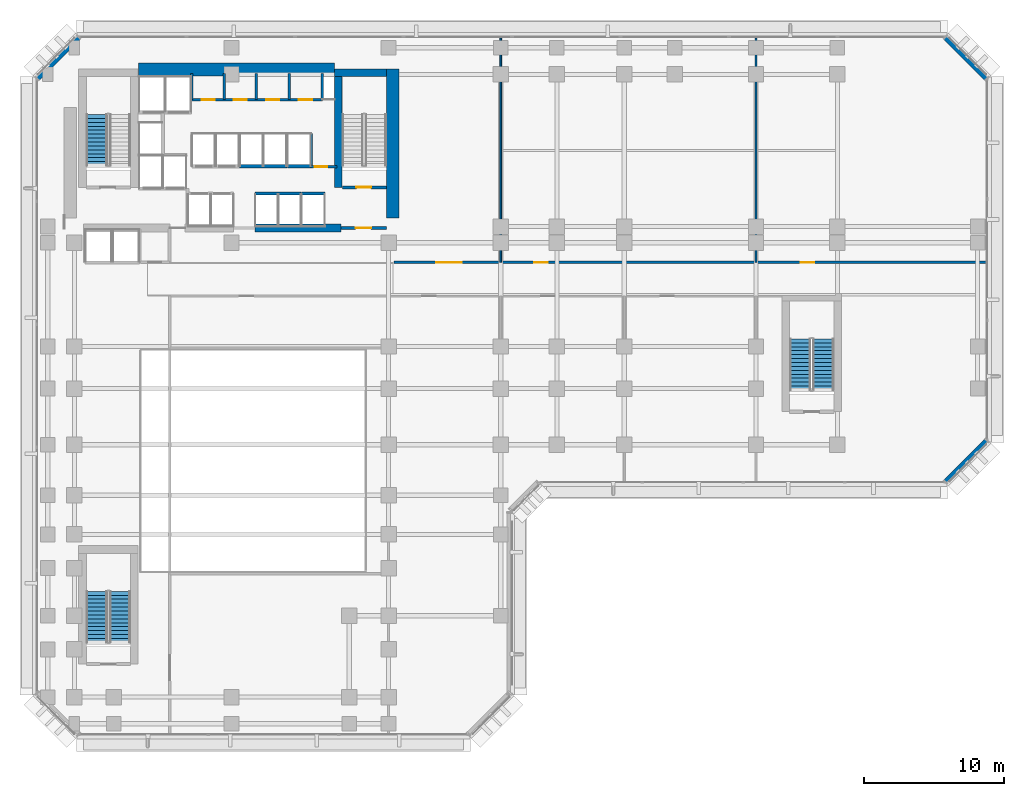
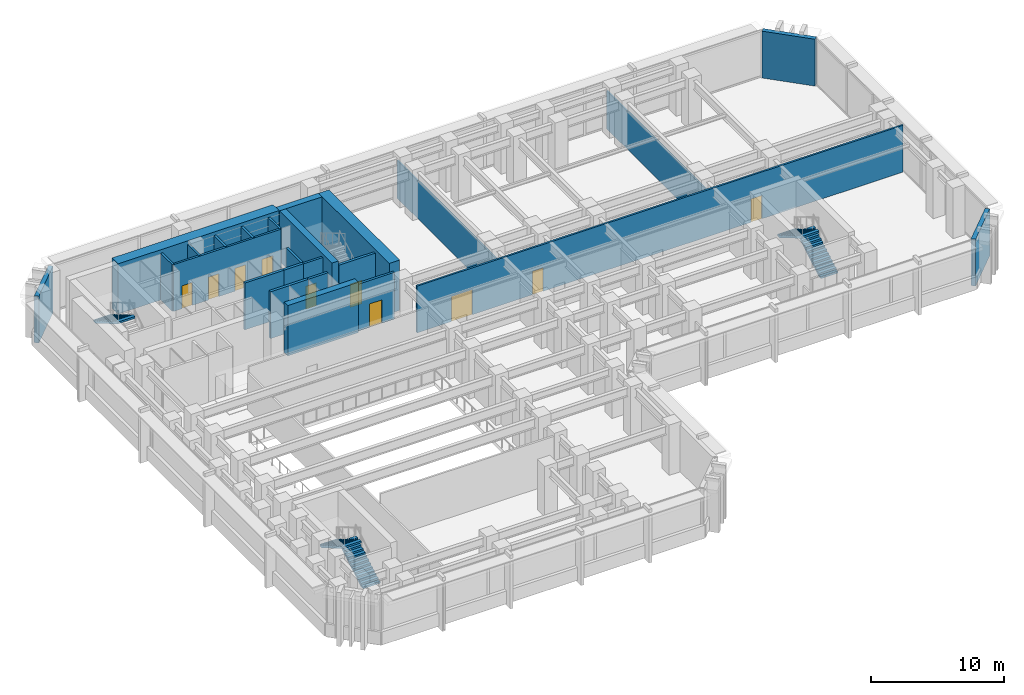
# One storey, part 8 of 16: 25 walls, 10 doors, 5 stair flights, 10 openings, 3 elements without a shape of their own.
"""IFC4 building model written with IfcOpenShell, lengths in metres."""

from ifc_helpers import new_model, si_unit, direction, frame, frame_2d, origin, place, context, subcontext, project, spatial, polyline, rectangle, outline, extrude, material, layer, layer_set, type_object, element, fill, aggregate, save


model = new_model("IFC4")

# Units and contexts
model_context = context("Model", 3, precision=1e-05, world=origin(), true_north=direction((0.0, 1.0)))
body_context = subcontext(model_context, "Body", "Model", "MODEL_VIEW")
ifc_project = project(units=[si_unit("LENGTHUNIT", "METRE"), si_unit("AREAUNIT", "SQUARE_METRE"), si_unit("VOLUMEUNIT", "CUBIC_METRE"), si_unit("PLANEANGLEUNIT", "RADIAN"), si_unit("MASSUNIT", "GRAM", prefix="KILO")], contexts=[model_context])

# Site, building, storey
site_placement = place(None, origin())
site = spatial("IfcSite", under=ifc_project, at=site_placement, CompositionType="ELEMENT")
building_placement = place(site_placement, origin())
building = spatial("IfcBuilding", under=site, at=building_placement, Name="Kefirva Bronze Tower", CompositionType="ELEMENT")
storey_placement = place(building_placement, frame((0.0, 0.0, 16.5)))
storey = spatial("IfcBuildingStorey", under=building, at=storey_placement, Name="L03", CompositionType="ELEMENT", Elevation=16.5)

# Walls
ifc_material_1 = material(Name="Gypsum acoustic partition")
ifc_layer_1 = layer(ifc_material_1, 0.1298828125, Name="Gypsum acoustic partition")
ifc_layer_set_1 = layer_set([ifc_layer_1], Name="Gypsum acoustic partition")
wall_type_1 = type_object("IfcWallType", Name="Acoustic Office Partition 130mm", PredefinedType="PARTITIONING", material=ifc_layer_set_1)
for number, where, z_axis, x_axis, name in (
    (1, (31.199951171875, 31.800048828125, 0.0), (0.0, 0.0, 1.0), (0.0, 1.0, 0.0), "L03 Partition W-L03-NDV1"),
    (2, (49.39990234375, 31.800048828125, 0.0), (0.0, 0.0, 1.0), (0.0, 1.0, 0.0), "L03 Partition W-L03-NDV2"),
):
    element("IfcWall", number, at=place(storey_placement, frame(where, z_axis=z_axis, x_axis=x_axis)), inside=storey, type_object=wall_type_1, Name=name, PredefinedType="PARTITIONING", context=body_context, shape_type="SweptSolid", body=[
        extrude(rectangle(XDim=16.010009765625, YDim=0.1298828125, at=frame_2d((8.0048828125, 0.0))), origin(), (0.0, 0.0, 1.0), 3.485107421875),
    ])

# Wall, opening, door
ifc_material_2 = material(Name="Gypsum fireboard shaftwall")
ifc_layer_2 = layer(ifc_material_2, 0.219970703125, Name="Gypsum fireboard shaftwall")
ifc_layer_set_2 = layer_set([ifc_layer_2], Name="Gypsum fireboard shaftwall")
wall_type_2 = type_object("IfcWallType", Name="Fire-Rated Shaft Enclosure Wall 220mm", PredefinedType="PARTITIONING", material=ifc_layer_set_2)
wall_1_placement = place(storey_placement, frame((19.89990234375, 37.14990234375, 0.0), z_axis=(0.0, 0.0, 1.0), x_axis=(1.0, 0.0, 0.0)))
wall_1 = element("IfcWall", 3, at=wall_1_placement, inside=storey, type_object=wall_type_2, Name="L03 Partition W-L03-ST2S", PredefinedType="PARTITIONING", context=body_context, shape_type="SweptSolid", body=[
    extrude(rectangle(XDim=3.150146484375, YDim=0.219970703125, at=frame_2d((1.5751953125, 0.0))), origin(), (0.0, 0.0, 1.0), 4.300048828125),
])
opening_1_placement = place(wall_1_placement, frame((2.050048828125, 0.0, 0.0), z_axis=(0.0, 0.0, 1.0), x_axis=(-1.0, 0.0, 0.0)))
opening_1 = element("IfcOpeningElement", 4, at=opening_1_placement, cuts=wall_1, Name="Opening L03-D003", PredefinedType="OPENING", context=body_context, shape_type="SweptSolid", body=[
    extrude(rectangle(XDim=1.050048828125, YDim=2.14990234375, at=frame_2d((0.52490234375, 1.074951171875))), frame((0.0, 0.1201171875, 0.0), z_axis=(0.0, -1.0, 0.0), x_axis=(1.0, 0.0, 0.0)), (0.0, 0.0, 1.0), 0.239990234375),
])
ifc_material_3 = material(Name="Painted galvanized steel", Category="steel")
door_type_1 = type_object("IfcDoorType", Name="Fire Stair Enclosure Door 1050x2150 FD90S", OperationType="NOTDEFINED", PredefinedType="DOOR", material=ifc_material_3)
door_1_placement = place(opening_1_placement, origin())
door_1 = element("IfcDoor", 5, at=door_1_placement, inside=storey, type_object=door_type_1, Name="Door L03-D003", OperationType="SINGLE_SWING_LEFT", OverallHeight=2.14990234375, OverallWidth=1.050048828125, PredefinedType="DOOR", context=body_context, shape_type="SweptSolid", body=[
    extrude(rectangle(XDim=1.050048828125, YDim=2.14990234375, at=frame_2d((0.52490234375, 1.074951171875))), frame((0.0, 0.02490234375, 0.0), z_axis=(0.0, -1.0, 0.0), x_axis=(1.0, 0.0, 0.0)), (0.0, 0.0, 1.0), 0.050048828125),
])
fill(opening_1, door_1)

# Walls
wall_2_placement = place(storey_placement, frame((17.679931640625, 38.64990234375, 0.0), z_axis=(0.0, 0.0, 1.0), x_axis=(0.0, 1.0, 0.0)))
element("IfcWall", 6, at=wall_2_placement, inside=storey, type_object=wall_type_2, Name="L03 Partition W-L03-HP2E", PredefinedType="PARTITIONING", context=body_context, shape_type="SweptSolid", body=[
    extrude(rectangle(XDim=2.35009765625, YDim=0.199951171875, at=frame_2d((1.175048828125, 0.0))), origin(), (0.0, 0.0, 1.0), 4.300048828125),
])
wall_3_placement = place(storey_placement, frame((13.679931640625, 36.699951171875, 0.0), z_axis=(0.0, 0.0, 1.0), x_axis=(1.0, 0.0, 0.0)))
element("IfcWall", 7, at=wall_3_placement, inside=storey, type_object=wall_type_2, Name="L03 Partition W-L03-MPS", PredefinedType="PARTITIONING", context=body_context, shape_type="SweptSolid", body=[
    extrude(rectangle(XDim=3.280029296875, YDim=0.219970703125, at=frame_2d((1.64013671875, 0.0))), origin(), (0.0, 0.0, 1.0), 4.300048828125),
])
wall_4_placement = place(storey_placement, frame((12.580078125, 38.64990234375, 0.0), z_axis=(0.0, 0.0, 1.0), x_axis=(1.0, 0.0, 0.0)))
element("IfcWall", 8, at=wall_4_placement, inside=storey, type_object=wall_type_2, Name="L03 Partition W-L03-MPN", PredefinedType="PARTITIONING", context=body_context, shape_type="SweptSolid", body=[
    extrude(rectangle(XDim=3.3798828125, YDim=0.219970703125, at=frame_2d((1.68994140625, 0.0))), origin(), (0.0, 0.0, 1.0), 4.300048828125),
])
wall_5_placement = place(storey_placement, frame((16.97998046875, 36.699951171875, 0.0), z_axis=(0.0, 0.0, 1.0), x_axis=(1.0, 0.0, 0.0)))
element("IfcWall", 9, at=wall_5_placement, inside=storey, type_object=wall_type_2, Name="L03 Partition W-L03-HPS", PredefinedType="PARTITIONING", context=body_context, shape_type="SweptSolid", body=[
    extrude(rectangle(XDim=1.699951171875, YDim=0.219970703125, at=frame_2d((0.85009765625, 0.0))), origin(), (0.0, 0.0, 1.0), 4.300048828125),
])
wall_6_placement = place(storey_placement, frame((15.97998046875, 38.64990234375, 0.0), z_axis=(0.0, 0.0, 1.0), x_axis=(1.0, 0.0, 0.0)))
element("IfcWall", 10, at=wall_6_placement, inside=storey, type_object=wall_type_2, Name="L03 Partition W-L03-HPN", PredefinedType="PARTITIONING", context=body_context, shape_type="SweptSolid", body=[
    extrude(rectangle(XDim=1.719970703125, YDim=0.219970703125, at=frame_2d((0.85986328125, 0.0))), origin(), (0.0, 0.0, 1.0), 4.300048828125),
])

# Wall, opening, door
ifc_material_4 = material(Name="Gypsum fireboard barrier")
ifc_layer_3 = layer(ifc_material_4, 0.199951171875, Name="Gypsum fireboard barrier")
ifc_layer_set_3 = layer_set([ifc_layer_3], Name="Gypsum fireboard barrier")
wall_type_3 = type_object("IfcWallType", Name="Firefighting Lobby Barrier Wall 200mm", PredefinedType="PARTITIONING", material=ifc_layer_set_3)
wall_7_placement = place(storey_placement, frame((19.800048828125, 34.25, 0.0), z_axis=(0.0, 0.0, 1.0), x_axis=(1.0, 0.0, 0.0)))
wall_7 = element("IfcWall", 11, at=wall_7_placement, inside=storey, type_object=wall_type_3, Name="L03 Partition W-L03-ST2F", PredefinedType="PARTITIONING", context=body_context, shape_type="SweptSolid", body=[
    extrude(rectangle(XDim=3.25, YDim=0.199951171875, at=frame_2d((1.625, 0.0))), origin(), (0.0, 0.0, 1.0), 4.300048828125),
])
opening_2_placement = place(wall_7_placement, frame((2.150146484375, 0.0, 0.0), z_axis=(0.0, 0.0, 1.0), x_axis=(-1.0, 0.0, 0.0)))
opening_2 = element("IfcOpeningElement", 12, at=opening_2_placement, cuts=wall_7, Name="Opening L03-D004", PredefinedType="OPENING", context=body_context, shape_type="SweptSolid", body=[
    extrude(rectangle(XDim=1.10009765625, YDim=2.14990234375, at=frame_2d((0.550048828125, 1.074951171875))), frame((0.0, 0.10986328125, 0.0), z_axis=(0.0, -1.0, 0.0), x_axis=(1.0, 0.0, 0.0)), (0.0, 0.0, 1.0), 0.219970703125),
])
door_type_2 = type_object("IfcDoorType", Name="Firefighting Lobby Smoke Door 1100x2150 FD60S", OperationType="NOTDEFINED", PredefinedType="DOOR", material=ifc_material_3)
door_2_placement = place(opening_2_placement, origin())
door_2 = element("IfcDoor", 13, at=door_2_placement, inside=storey, type_object=door_type_2, Name="Door L03-D004", OperationType="SINGLE_SWING_RIGHT", OverallHeight=2.14990234375, OverallWidth=1.10009765625, PredefinedType="DOOR", context=body_context, shape_type="SweptSolid", body=[
    extrude(rectangle(XDim=1.10009765625, YDim=2.14990234375, at=frame_2d((0.550048828125, 1.074951171875))), frame((0.0, 0.02490234375, 0.0), z_axis=(0.0, -1.0, 0.0), x_axis=(1.0, 0.0, 0.0)), (0.0, 0.0, 1.0), 0.050048828125),
])
fill(opening_2, door_2)

wall_8_placement = place(storey_placement, frame((17.679931640625, 38.6201171875, 0.0), z_axis=(0.0, 0.0, 1.0), x_axis=(1.0, 0.0, 0.0)))
wall_8 = element("IfcWall", 14, at=wall_8_placement, inside=storey, type_object=wall_type_3, Name="L03 Partition W-L03-CPASS", PredefinedType="PARTITIONING", context=body_context, shape_type="SweptSolid", body=[
    extrude(rectangle(XDim=1.840087890625, YDim=0.179931640625, at=frame_2d((0.919921875, 0.0))), origin(), (0.0, 0.0, 1.0), 4.300048828125),
])
opening_3_placement = place(wall_8_placement, frame((0.239990234375, 0.0, 0.0)))
opening_3 = element("IfcOpeningElement", 15, at=opening_3_placement, cuts=wall_8, Name="Opening L03-D-CPAS", PredefinedType="OPENING", context=body_context, shape_type="SweptSolid", body=[
    extrude(rectangle(XDim=0.919921875, YDim=2.10009765625, at=frame_2d((0.4599609375, 1.050048828125))), frame((0.0, 0.10009765625, 0.0), z_axis=(0.0, -1.0, 0.0), x_axis=(1.0, 0.0, 0.0)), (0.0, 0.0, 1.0), 0.199951171875),
])
ifc_material_5 = material(Name="Moisture-resistant timber", Category="wood")
door_type_3 = type_object("IfcDoorType", Name="Accessible Sanitary & WC Door 920x2100", OperationType="NOTDEFINED", PredefinedType="DOOR", material=ifc_material_5)
door_3_placement = place(opening_3_placement, origin())
door_3 = element("IfcDoor", 16, at=door_3_placement, inside=storey, type_object=door_type_3, Name="Door L03-D-CPAS", OperationType="SINGLE_SWING_LEFT", OverallHeight=2.10009765625, OverallWidth=0.919921875, PredefinedType="DOOR", context=body_context, shape_type="SweptSolid", body=[
    extrude(rectangle(XDim=0.919921875, YDim=2.10009765625, at=frame_2d((0.4599609375, 1.050048828125))), frame((0.0, 0.02490234375, 0.0), z_axis=(0.0, -1.0, 0.0), x_axis=(1.0, 0.0, 0.0)), (0.0, 0.0, 1.0), 0.050048828125),
])
fill(opening_3, door_3)

# Walls
ifc_material_6 = material(Name="Precast concrete C40/50", Category="concrete")
ifc_layer_4 = layer(ifc_material_6, 0.360107421875, Name="Precast concrete C40/50")
ifc_layer_set_4 = layer_set([ifc_layer_4], Name="Precast concrete C40/50")
wall_type_4 = type_object("IfcWallType", Name="Precast Podium Facade Wall 360mm", PredefinedType="SOLIDWALL", material=ifc_layer_set_4)
for number, where, z_axis, x_axis, name in (
    (17, (62.91162109375, 16.166259765625, 0.0), (0.0, 0.0, 1.0), (0.707106781187, 0.707106781187, 0.0), "L03 Exterior Facade Wall 4"),
    (18, (65.833740234375, 44.91162109375, 0.0), (0.0, 0.0, 1.0), (-0.707106781187, 0.707106781187, 0.0), "L03 Exterior Facade Wall 5"),
    (19, (1.08837890625, 47.833740234375, 0.0), (0.0, 0.0, 1.0), (-0.707106781187, -0.707106781187, 0.0), "L03 Exterior Facade Wall 6"),
):
    element("IfcWall", number, at=place(storey_placement, frame(where, z_axis=z_axis, x_axis=x_axis)), inside=storey, type_object=wall_type_4, Name=name, PredefinedType="SOLIDWALL", context=body_context, shape_type="SweptSolid", body=[
        extrude(rectangle(XDim=4.132568359375, YDim=0.360107421875, at=frame_2d((2.06640625, 0.0))), origin(), (0.0, 0.0, 1.0), 4.300048828125),
    ])

# Wall, openings, doors
ifc_layer_5 = layer(ifc_material_1, 0.159912109375, Name="Gypsum acoustic partition")
ifc_layer_set_5 = layer_set([ifc_layer_5], Name="Gypsum acoustic partition")
wall_type_5 = type_object("IfcWallType", Name="Protected Corridor Partition 160mm", PredefinedType="PARTITIONING", material=ifc_layer_set_5)
wall_9_placement = place(storey_placement, frame((23.60009765625, 31.800048828125, 0.0), z_axis=(0.0, 0.0, 1.0), x_axis=(1.0, 0.0, 0.0)))
wall_9 = element("IfcWall", 20, at=wall_9_placement, inside=storey, type_object=wall_type_5, Name="L03 Partition W-L03-N", PredefinedType="PARTITIONING", context=body_context, shape_type="SweptSolid", body=[
    extrude(rectangle(XDim=42.2099609375, YDim=0.159912109375, at=frame_2d((21.10498046875, 0.0))), origin(), (0.0, 0.0, 1.0), 4.300048828125),
])
opening_4_placement = place(wall_9_placement, frame((3.0, 0.0, 0.0)))
opening_4 = element("IfcOpeningElement", 21, at=opening_4_placement, cuts=wall_9, Name="Opening L03-D-BD", PredefinedType="OPENING", context=body_context, shape_type="SweptSolid", body=[
    extrude(rectangle(XDim=1.800048828125, YDim=2.300048828125, at=frame_2d((0.89990234375, 1.14990234375))), frame((0.0, 0.08984375, 0.0), z_axis=(0.0, -1.0, 0.0), x_axis=(1.0, 0.0, 0.0)), (0.0, 0.0, 1.0), 0.179931640625),
])
opening_5_placement = place(wall_9_placement, frame((10.0, 0.0, 0.0)))
opening_5 = element("IfcOpeningElement", 22, at=opening_5_placement, cuts=wall_9, Name="Opening L03-D-AC1", PredefinedType="OPENING", context=body_context, shape_type="SweptSolid", body=[
    extrude(rectangle(XDim=0.949951171875, YDim=2.14990234375, at=frame_2d((0.47509765625, 1.074951171875))), frame((0.0, 0.08984375, 0.0), z_axis=(0.0, -1.0, 0.0), x_axis=(1.0, 0.0, 0.0)), (0.0, 0.0, 1.0), 0.179931640625),
])
opening_6_placement = place(wall_9_placement, frame((29.0, 0.0, 0.0)))
opening_6 = element("IfcOpeningElement", 23, at=opening_6_placement, cuts=wall_9, Name="Opening L03-D-AC2", PredefinedType="OPENING", context=body_context, shape_type="SweptSolid", body=[
    extrude(rectangle(XDim=0.949951171875, YDim=2.14990234375, at=frame_2d((0.47509765625, 1.074951171875))), frame((0.0, 0.08984375, 0.0), z_axis=(0.0, -1.0, 0.0), x_axis=(1.0, 0.0, 0.0)), (0.0, 0.0, 1.0), 0.179931640625),
])
ifc_material_7 = material(Name="Acoustic hardwood oak", Category="wood")
door_type_4 = type_object("IfcDoorType", Name="Auditorium & Dining Double Door 1800x2300", OperationType="DOUBLE_DOOR_SINGLE_SWING", PredefinedType="DOOR", material=ifc_material_7)
door_4_placement = place(opening_4_placement, origin())
door_4 = element("IfcDoor", 24, at=door_4_placement, inside=storey, type_object=door_type_4, Name="Door L03-D-BD", OperationType="SINGLE_SWING_RIGHT", OverallHeight=2.300048828125, OverallWidth=1.800048828125, PredefinedType="DOOR", context=body_context, shape_type="SweptSolid", body=[
    extrude(rectangle(XDim=1.800048828125, YDim=2.300048828125, at=frame_2d((0.89990234375, 1.14990234375))), frame((0.0, 0.02490234375, 0.0), z_axis=(0.0, -1.0, 0.0), x_axis=(1.0, 0.0, 0.0)), (0.0, 0.0, 1.0), 0.050048828125),
])
fill(opening_4, door_4)
door_type_5 = type_object("IfcDoorType", Name="Office & Meeting Room Door 950x2150", OperationType="NOTDEFINED", PredefinedType="DOOR", material=ifc_material_7)
door_5_placement = place(opening_5_placement, origin())
door_5 = element("IfcDoor", 25, at=door_5_placement, inside=storey, type_object=door_type_5, Name="Door L03-D-AC1", OperationType="SINGLE_SWING_LEFT", OverallHeight=2.14990234375, OverallWidth=0.949951171875, PredefinedType="DOOR", context=body_context, shape_type="SweptSolid", body=[
    extrude(rectangle(XDim=0.949951171875, YDim=2.14990234375, at=frame_2d((0.47509765625, 1.074951171875))), frame((0.0, 0.02490234375, 0.0), z_axis=(0.0, -1.0, 0.0), x_axis=(1.0, 0.0, 0.0)), (0.0, 0.0, 1.0), 0.050048828125),
])
fill(opening_5, door_5)
door_6_placement = place(opening_6_placement, origin())
door_6 = element("IfcDoor", 26, at=door_6_placement, inside=storey, type_object=door_type_5, Name="Door L03-D-AC2", OperationType="SINGLE_SWING_RIGHT", OverallHeight=2.14990234375, OverallWidth=0.949951171875, PredefinedType="DOOR", context=body_context, shape_type="SweptSolid", body=[
    extrude(rectangle(XDim=0.949951171875, YDim=2.14990234375, at=frame_2d((0.47509765625, 1.074951171875))), frame((0.0, 0.02490234375, 0.0), z_axis=(0.0, -1.0, 0.0), x_axis=(1.0, 0.0, 0.0)), (0.0, 0.0, 1.0), 0.050048828125),
])
fill(opening_6, door_6)

# Walls
ifc_material_8 = material(Name="Concrete C50/60", Category="concrete")
ifc_layer_6 = layer(ifc_material_8, 0.550048828125, Name="Concrete C50/60")
ifc_layer_set_6 = layer_set([ifc_layer_6], Name="Concrete C50/60")
wall_type_6 = type_object("IfcWallType", Name="RC Rear Core Interior Wall 550mm", PredefinedType="SHEAR", material=ifc_layer_set_6)
wall_10_placement = place(storey_placement, frame((19.6201171875, 37.14990234375, 0.0), z_axis=(0.0, 0.0, 1.0), x_axis=(0.0, 1.0, 0.0)))
element("IfcWall", 27, at=wall_10_placement, inside=storey, type_object=wall_type_6, Name="L03 Stair 2 West Shear Wall", PredefinedType="SHEAR", context=body_context, shape_type="SweptSolid", body=[
    extrude(rectangle(XDim=7.89013671875, YDim=0.550048828125, at=frame_2d((3.945068359375, 0.0))), origin(), (0.0, 0.0, 1.0), 4.6201171875),
])
wall_11_placement = place(storey_placement, frame((19.35009765625, 45.320068359375, 0.0), z_axis=(0.0, 0.0, 1.0), x_axis=(1.0, 0.0, 0.0)))
element("IfcWall", 28, at=wall_11_placement, inside=storey, type_object=wall_type_6, Name="L03 Stair 2 North Shear Wall", PredefinedType="SHEAR", context=body_context, shape_type="SweptSolid", body=[
    extrude(rectangle(XDim=3.68994140625, YDim=0.550048828125, at=frame_2d((1.844970703125, 0.0))), origin(), (0.0, 0.0, 1.0), 4.6201171875),
])
ifc_material_9 = material(Name="Concrete C60/75", Category="concrete")
ifc_layer_7 = layer(ifc_material_9, 0.89990234375, Name="Concrete C60/75")
ifc_layer_set_7 = layer_set([ifc_layer_7], Name="Concrete C60/75")
wall_type_7 = type_object("IfcWallType", Name="RC Rear Core Interior Wall 900mm", PredefinedType="SHEAR", material=ifc_layer_set_7)
wall_12_placement = place(storey_placement, frame((5.360107421875, 45.550048828125, 0.0), z_axis=(0.0, 0.0, 1.0), x_axis=(1.0, 0.0, 0.0)))
element("IfcWall", 29, at=wall_12_placement, inside=storey, type_object=wall_type_7, Name="L03 Rear Core North Shear Wall", PredefinedType="SHEAR", context=body_context, shape_type="SweptSolid", body=[
    extrude(rectangle(XDim=13.97998046875, YDim=0.89990234375, at=frame_2d((6.989990234375, 0.0))), origin(), (0.0, 0.0, 1.0), 4.6201171875),
])
wall_13_placement = place(storey_placement, frame((23.5, 34.949951171875, 0.0), z_axis=(0.0, 0.0, 1.0), x_axis=(0.0, 1.0, 0.0)))
element("IfcWall", 30, at=wall_13_placement, inside=storey, type_object=wall_type_7, Name="L03 Rear Core East Shear Wall", PredefinedType="SHEAR", context=body_context, shape_type="SweptSolid", body=[
    extrude(rectangle(XDim=10.64013671875, YDim=0.89990234375, at=frame_2d((5.320068359375, 0.0))), origin(), (0.0, 0.0, 1.0), 4.6201171875),
])
wall_14_placement = place(storey_placement, frame((13.679931640625, 34.25, 0.0), z_axis=(0.0, 0.0, 1.0), x_axis=(1.0, 0.0, 0.0)))
element("IfcWall", 31, at=wall_14_placement, inside=storey, type_object=wall_type_7, Name="L03 Rear Core South-East Shear Wall", PredefinedType="SHEAR", context=body_context, shape_type="SweptSolid", body=[
    extrude(rectangle(XDim=6.1201171875, YDim=0.550048828125, at=frame_2d((3.06005859375, 0.0))), origin(), (0.0, 0.0, 1.0), 4.6201171875),
])

# Wall, openings, doors
ifc_material_10 = material(Name="Moisture-resistant partition")
ifc_layer_8 = layer(ifc_material_10, 0.179931640625, Name="Moisture-resistant partition")
ifc_layer_set_8 = layer_set([ifc_layer_8], Name="Moisture-resistant partition")
wall_type_8 = type_object("IfcWallType", Name="Sanitary Plumbing Chase Wall 180mm", PredefinedType="PLUMBINGWALL", material=ifc_layer_set_8)
wall_15_placement = place(storey_placement, frame((9.14990234375, 43.39990234375, 0.0), z_axis=(0.0, 0.0, 1.0), x_axis=(1.0, 0.0, 0.0)))
wall_15 = element("IfcWall", 32, at=wall_15_placement, inside=storey, type_object=wall_type_8, Name="L03 Partition W-L03-SVCS", PredefinedType="PLUMBINGWALL", context=body_context, shape_type="SweptSolid", body=[
    extrude(rectangle(XDim=9.330078125, YDim=0.179931640625, at=frame_2d((4.6650390625, 0.0))), origin(), (0.0, 0.0, 1.0), 4.300048828125),
])
opening_7_placement = place(wall_15_placement, frame((0.719970703125, 0.0, 0.0)))
opening_7 = element("IfcOpeningElement", 33, at=opening_7_placement, cuts=wall_15, Name="Opening L03-D-CSVC1", PredefinedType="OPENING", context=body_context, shape_type="SweptSolid", body=[
    extrude(rectangle(XDim=0.919921875, YDim=2.10009765625, at=frame_2d((0.4599609375, 1.050048828125))), frame((0.0, 0.10009765625, 0.0), z_axis=(0.0, -1.0, 0.0), x_axis=(1.0, 0.0, 0.0)), (0.0, 0.0, 1.0), 0.199951171875),
])
opening_8_placement = place(wall_15_placement, frame((3.02001953125, 0.0, 0.0)))
opening_8 = element("IfcOpeningElement", 34, at=opening_8_placement, cuts=wall_15, Name="Opening L03-D-CSVC2", PredefinedType="OPENING", context=body_context, shape_type="SweptSolid", body=[
    extrude(rectangle(XDim=0.919921875, YDim=2.10009765625, at=frame_2d((0.4599609375, 1.050048828125))), frame((0.0, 0.10009765625, 0.0), z_axis=(0.0, -1.0, 0.0), x_axis=(1.0, 0.0, 0.0)), (0.0, 0.0, 1.0), 0.199951171875),
])
opening_9_placement = place(wall_15_placement, frame((5.340087890625, 0.0, 0.0)))
opening_9 = element("IfcOpeningElement", 35, at=opening_9_placement, cuts=wall_15, Name="Opening L03-D-CSVC3", PredefinedType="OPENING", context=body_context, shape_type="SweptSolid", body=[
    extrude(rectangle(XDim=0.919921875, YDim=2.10009765625, at=frame_2d((0.4599609375, 1.050048828125))), frame((0.0, 0.10009765625, 0.0), z_axis=(0.0, -1.0, 0.0), x_axis=(1.0, 0.0, 0.0)), (0.0, 0.0, 1.0), 0.199951171875),
])
opening_10_placement = place(wall_15_placement, frame((7.659912109375, 0.0, 0.0)))
opening_10 = element("IfcOpeningElement", 36, at=opening_10_placement, cuts=wall_15, Name="Opening L03-D-CSVC4", PredefinedType="OPENING", context=body_context, shape_type="SweptSolid", body=[
    extrude(rectangle(XDim=0.949951171875, YDim=2.10009765625, at=frame_2d((0.47509765625, 1.050048828125))), frame((0.0, 0.10009765625, 0.0), z_axis=(0.0, -1.0, 0.0), x_axis=(1.0, 0.0, 0.0)), (0.0, 0.0, 1.0), 0.199951171875),
])
door_7_placement = place(opening_7_placement, origin())
door_7 = element("IfcDoor", 37, at=door_7_placement, inside=storey, type_object=door_type_3, Name="Door L03-D-CSVC1", OperationType="SINGLE_SWING_LEFT", OverallHeight=2.10009765625, OverallWidth=0.919921875, PredefinedType="DOOR", context=body_context, shape_type="SweptSolid", body=[
    extrude(rectangle(XDim=0.919921875, YDim=2.10009765625, at=frame_2d((0.4599609375, 1.050048828125))), frame((0.0, 0.02490234375, 0.0), z_axis=(0.0, -1.0, 0.0), x_axis=(1.0, 0.0, 0.0)), (0.0, 0.0, 1.0), 0.050048828125),
])
fill(opening_7, door_7)
door_8_placement = place(opening_8_placement, origin())
door_8 = element("IfcDoor", 38, at=door_8_placement, inside=storey, type_object=door_type_3, Name="Door L03-D-CSVC2", OperationType="SINGLE_SWING_RIGHT", OverallHeight=2.10009765625, OverallWidth=0.919921875, PredefinedType="DOOR", context=body_context, shape_type="SweptSolid", body=[
    extrude(rectangle(XDim=0.919921875, YDim=2.10009765625, at=frame_2d((0.4599609375, 1.050048828125))), frame((0.0, 0.02490234375, 0.0), z_axis=(0.0, -1.0, 0.0), x_axis=(1.0, 0.0, 0.0)), (0.0, 0.0, 1.0), 0.050048828125),
])
fill(opening_8, door_8)
door_9_placement = place(opening_9_placement, origin())
door_9 = element("IfcDoor", 39, at=door_9_placement, inside=storey, type_object=door_type_3, Name="Door L03-D-CSVC3", OperationType="SINGLE_SWING_LEFT", OverallHeight=2.10009765625, OverallWidth=0.919921875, PredefinedType="DOOR", context=body_context, shape_type="SweptSolid", body=[
    extrude(rectangle(XDim=0.919921875, YDim=2.10009765625, at=frame_2d((0.4599609375, 1.050048828125))), frame((0.0, 0.02490234375, 0.0), z_axis=(0.0, -1.0, 0.0), x_axis=(1.0, 0.0, 0.0)), (0.0, 0.0, 1.0), 0.050048828125),
])
fill(opening_9, door_9)
door_type_6 = type_object("IfcDoorType", Name="Riser & Plant Shaft Fire Door 950x2100 FD60S", OperationType="NOTDEFINED", PredefinedType="DOOR", material=ifc_material_3)
door_10_placement = place(opening_10_placement, origin())
door_10 = element("IfcDoor", 40, at=door_10_placement, inside=storey, type_object=door_type_6, Name="Door L03-D-CSVC4", OperationType="SINGLE_SWING_RIGHT", OverallHeight=2.10009765625, OverallWidth=0.949951171875, PredefinedType="DOOR", context=body_context, shape_type="SweptSolid", body=[
    extrude(rectangle(XDim=0.949951171875, YDim=2.10009765625, at=frame_2d((0.47509765625, 1.050048828125))), frame((0.0, 0.02490234375, 0.0), z_axis=(0.0, -1.0, 0.0), x_axis=(1.0, 0.0, 0.0)), (0.0, 0.0, 1.0), 0.050048828125),
])
fill(opening_10, door_10)

# Walls
for number, where, z_axis, x_axis, name in (
    (41, (9.14990234375, 43.39990234375, 0.0), (0.0, 0.0, 1.0), (0.0, 1.0, 0.0), "L03 Partition W-L03-SVCW"),
    (42, (18.47998046875, 43.39990234375, 0.0), (0.0, 0.0, 1.0), (0.0, 1.0, 0.0), "L03 Partition W-L03-SVCE"),
    (43, (11.47998046875, 43.39990234375, 0.0), (0.0, 0.0, 1.0), (0.0, 1.0, 0.0), "L03 Partition W-L03-CSVD-1"),
    (44, (13.780029296875, 43.39990234375, 0.0), (0.0, 0.0, 1.0), (0.0, 1.0, 0.0), "L03 Partition W-L03-CSVD-2"),
    (45, (16.1201171875, 43.39990234375, 0.0), (0.0, 0.0, 1.0), (0.0, 1.0, 0.0), "L03 Partition W-L03-CSVD-3"),
):
    element("IfcWall", number, at=place(storey_placement, frame(where, z_axis=z_axis, x_axis=x_axis)), inside=storey, type_object=wall_type_8, Name=name, PredefinedType="PLUMBINGWALL", context=body_context, shape_type="SweptSolid", body=[
        extrude(rectangle(XDim=1.880126953125, YDim=0.179931640625, at=frame_2d((0.93994140625, 0.0))), origin(), (0.0, 0.0, 1.0), 4.300048828125),
    ])

# Stair, stair flight
ifc_material_11 = material(Name="Concrete C40/50", Category="concrete")
stair_type = type_object("IfcStairType", Name="RC Dogleg Protected Stair 28R", PredefinedType="HALF_TURN_STAIR", material=ifc_material_11)
stair_1_placement = place(storey_placement, origin())
stair_1 = element("IfcStair", 46, at=stair_1_placement, inside=storey, type_object=stair_type, Name="L03 Protected Exit Stair 1", PredefinedType="HALF_TURN_STAIR")
stair_flight_type = type_object("IfcStairFlightType", Name="RC Straight Stair Flight 28R", PredefinedType="STRAIGHT", material=ifc_material_11)
stair_flight_1_placement = place(storey_placement, frame((2.39990234375, 42.340087890625, 2.31005859375), z_axis=(0.0, 0.0, 1.0), x_axis=(0.0, -1.0, 0.0)))
stair_flight_1 = element("IfcStairFlight", 47, at=stair_flight_1_placement, type_object=stair_flight_type, Name="ST-1 flight 2", NumberOfRisers=14, NumberOfTreads=13, PredefinedType="STRAIGHT", RiserHeight=0.165, TreadLength=0.28, context=body_context, shape_type="SweptSolid", body=[
    extrude(outline(polyline([(0.0, 0.0), (0.0, 0.1650390625), (0.280029296875, 0.1650390625), (0.280029296875, 0.330078125), (0.56005859375, 0.330078125), (0.56005859375, 0.4951171875), (0.840087890625, 0.4951171875), (0.840087890625, 0.659912109375), (1.1201171875, 0.659912109375), (1.1201171875, 0.824951171875), (1.39990234375, 0.824951171875), (1.39990234375, 0.989990234375), (1.679931640625, 0.989990234375), (1.679931640625, 1.155029296875), (1.9599609375, 1.155029296875), (1.9599609375, 1.320068359375), (2.239990234375, 1.320068359375), (2.239990234375, 1.485107421875), (2.52001953125, 1.485107421875), (2.52001953125, 1.64990234375), (2.800048828125, 1.64990234375), (2.800048828125, 1.81494140625), (3.080078125, 1.81494140625), (3.080078125, 1.97998046875), (3.360107421875, 1.97998046875), (3.360107421875, 2.14501953125), (3.639892578125, 2.14501953125), (3.639892578125, 2.31005859375), (3.639892578125, 1.970947265625), (0.295166015625, 0.0), (0.0, 0.0)])), frame((0.0, 0.75, 0.0), z_axis=(0.0, -1.0, 0.0), x_axis=(1.0, 0.0, 0.0)), (0.0, 0.0, 1.0), 1.5),
])
aggregate(stair_1, [stair_flight_1])

# Stair, stair flights
stair_2_placement = place(storey_placement, origin())
stair_2 = element("IfcStair", 48, at=stair_2_placement, inside=storey, type_object=stair_type, Name="L03 Podium Exit Stair 3", PredefinedType="HALF_TURN_STAIR")
stair_flight_2_placement = place(storey_placement, frame((4.050048828125, 4.699951171875, 0.0), z_axis=(0.0, 0.0, 1.0), x_axis=(0.0, 1.0, 0.0)))
stair_flight_2 = element("IfcStairFlight", 49, at=stair_flight_2_placement, type_object=stair_flight_type, Name="ST-3 flight 1", NumberOfRisers=14, NumberOfTreads=13, PredefinedType="STRAIGHT", RiserHeight=0.165, TreadLength=0.28, context=body_context, shape_type="SweptSolid", body=[
    extrude(outline(polyline([(0.0, 0.0), (0.0, 0.1650390625), (0.280029296875, 0.1650390625), (0.280029296875, 0.330078125), (0.56005859375, 0.330078125), (0.56005859375, 0.4951171875), (0.840087890625, 0.4951171875), (0.840087890625, 0.659912109375), (1.1201171875, 0.659912109375), (1.1201171875, 0.824951171875), (1.39990234375, 0.824951171875), (1.39990234375, 0.989990234375), (1.679931640625, 0.989990234375), (1.679931640625, 1.155029296875), (1.9599609375, 1.155029296875), (1.9599609375, 1.320068359375), (2.239990234375, 1.320068359375), (2.239990234375, 1.485107421875), (2.52001953125, 1.485107421875), (2.52001953125, 1.64990234375), (2.800048828125, 1.64990234375), (2.800048828125, 1.81494140625), (3.080078125, 1.81494140625), (3.080078125, 1.97998046875), (3.360107421875, 1.97998046875), (3.360107421875, 2.14501953125), (3.639892578125, 2.14501953125), (3.639892578125, 2.31005859375), (3.639892578125, 1.970947265625), (0.295166015625, 0.0), (0.0, 0.0)])), frame((0.0, 0.75, 0.0), z_axis=(0.0, -1.0, 0.0), x_axis=(1.0, 0.0, 0.0)), (0.0, 0.0, 1.0), 1.5),
])
stair_flight_3_placement = place(storey_placement, frame((2.39990234375, 8.340087890625, 2.31005859375), z_axis=(0.0, 0.0, 1.0), x_axis=(0.0, -1.0, 0.0)))
stair_flight_3 = element("IfcStairFlight", 50, at=stair_flight_3_placement, type_object=stair_flight_type, Name="ST-3 flight 2", NumberOfRisers=14, NumberOfTreads=13, PredefinedType="STRAIGHT", RiserHeight=0.165, TreadLength=0.28, context=body_context, shape_type="SweptSolid", body=[
    extrude(outline(polyline([(0.0, 0.0), (0.0, 0.1650390625), (0.280029296875, 0.1650390625), (0.280029296875, 0.330078125), (0.56005859375, 0.330078125), (0.56005859375, 0.4951171875), (0.840087890625, 0.4951171875), (0.840087890625, 0.659912109375), (1.1201171875, 0.659912109375), (1.1201171875, 0.824951171875), (1.39990234375, 0.824951171875), (1.39990234375, 0.989990234375), (1.679931640625, 0.989990234375), (1.679931640625, 1.155029296875), (1.9599609375, 1.155029296875), (1.9599609375, 1.320068359375), (2.239990234375, 1.320068359375), (2.239990234375, 1.485107421875), (2.52001953125, 1.485107421875), (2.52001953125, 1.64990234375), (2.800048828125, 1.64990234375), (2.800048828125, 1.81494140625), (3.080078125, 1.81494140625), (3.080078125, 1.97998046875), (3.360107421875, 1.97998046875), (3.360107421875, 2.14501953125), (3.639892578125, 2.14501953125), (3.639892578125, 2.31005859375), (3.639892578125, 1.970947265625), (0.295166015625, 0.0), (0.0, 0.0)])), frame((0.0, 0.75, 0.0), z_axis=(0.0, -1.0, 0.0), x_axis=(1.0, 0.0, 0.0)), (0.0, 0.0, 1.0), 1.5),
])
aggregate(stair_2, [stair_flight_2, stair_flight_3])

stair_3_placement = place(storey_placement, origin())
stair_3 = element("IfcStair", 51, at=stair_3_placement, inside=storey, type_object=stair_type, Name="L03 Podium Exit Stair 4", PredefinedType="HALF_TURN_STAIR")
stair_flight_4_placement = place(storey_placement, frame((54.199951171875, 22.699951171875, 0.0), z_axis=(0.0, 0.0, 1.0), x_axis=(0.0, 1.0, 0.0)))
stair_flight_4 = element("IfcStairFlight", 52, at=stair_flight_4_placement, type_object=stair_flight_type, Name="ST-4 flight 1", NumberOfRisers=14, NumberOfTreads=13, PredefinedType="STRAIGHT", RiserHeight=0.165, TreadLength=0.28, context=body_context, shape_type="SweptSolid", body=[
    extrude(outline(polyline([(0.0, 0.0), (0.0, 0.1650390625), (0.280029296875, 0.1650390625), (0.280029296875, 0.330078125), (0.56005859375, 0.330078125), (0.56005859375, 0.4951171875), (0.840087890625, 0.4951171875), (0.840087890625, 0.659912109375), (1.1201171875, 0.659912109375), (1.1201171875, 0.824951171875), (1.39990234375, 0.824951171875), (1.39990234375, 0.989990234375), (1.679931640625, 0.989990234375), (1.679931640625, 1.155029296875), (1.9599609375, 1.155029296875), (1.9599609375, 1.320068359375), (2.239990234375, 1.320068359375), (2.239990234375, 1.485107421875), (2.52001953125, 1.485107421875), (2.52001953125, 1.64990234375), (2.800048828125, 1.64990234375), (2.800048828125, 1.81494140625), (3.080078125, 1.81494140625), (3.080078125, 1.97998046875), (3.360107421875, 1.97998046875), (3.360107421875, 2.14501953125), (3.639892578125, 2.14501953125), (3.639892578125, 2.31005859375), (3.639892578125, 1.970947265625), (0.295166015625, 0.0), (0.0, 0.0)])), frame((0.0, 0.75, 0.0), z_axis=(0.0, -1.0, 0.0), x_axis=(1.0, 0.0, 0.0)), (0.0, 0.0, 1.0), 1.5),
])
stair_flight_5_placement = place(storey_placement, frame((52.550048828125, 26.340087890625, 2.31005859375), z_axis=(0.0, 0.0, 1.0), x_axis=(0.0, -1.0, 0.0)))
stair_flight_5 = element("IfcStairFlight", 53, at=stair_flight_5_placement, type_object=stair_flight_type, Name="ST-4 flight 2", NumberOfRisers=14, NumberOfTreads=13, PredefinedType="STRAIGHT", RiserHeight=0.165, TreadLength=0.28, context=body_context, shape_type="SweptSolid", body=[
    extrude(outline(polyline([(0.0, 0.0), (0.0, 0.1650390625), (0.280029296875, 0.1650390625), (0.280029296875, 0.330078125), (0.56005859375, 0.330078125), (0.56005859375, 0.4951171875), (0.840087890625, 0.4951171875), (0.840087890625, 0.659912109375), (1.1201171875, 0.659912109375), (1.1201171875, 0.824951171875), (1.39990234375, 0.824951171875), (1.39990234375, 0.989990234375), (1.679931640625, 0.989990234375), (1.679931640625, 1.155029296875), (1.9599609375, 1.155029296875), (1.9599609375, 1.320068359375), (2.239990234375, 1.320068359375), (2.239990234375, 1.485107421875), (2.52001953125, 1.485107421875), (2.52001953125, 1.64990234375), (2.800048828125, 1.64990234375), (2.800048828125, 1.81494140625), (3.080078125, 1.81494140625), (3.080078125, 1.97998046875), (3.360107421875, 1.97998046875), (3.360107421875, 2.14501953125), (3.639892578125, 2.14501953125), (3.639892578125, 2.31005859375), (3.639892578125, 1.970947265625), (0.295166015625, 0.0), (0.0, 0.0)])), frame((0.0, 0.75, 0.0), z_axis=(0.0, -1.0, 0.0), x_axis=(1.0, 0.0, 0.0)), (0.0, 0.0, 1.0), 1.5),
])
aggregate(stair_3, [stair_flight_4, stair_flight_5])

save(model, "model.ifc")
